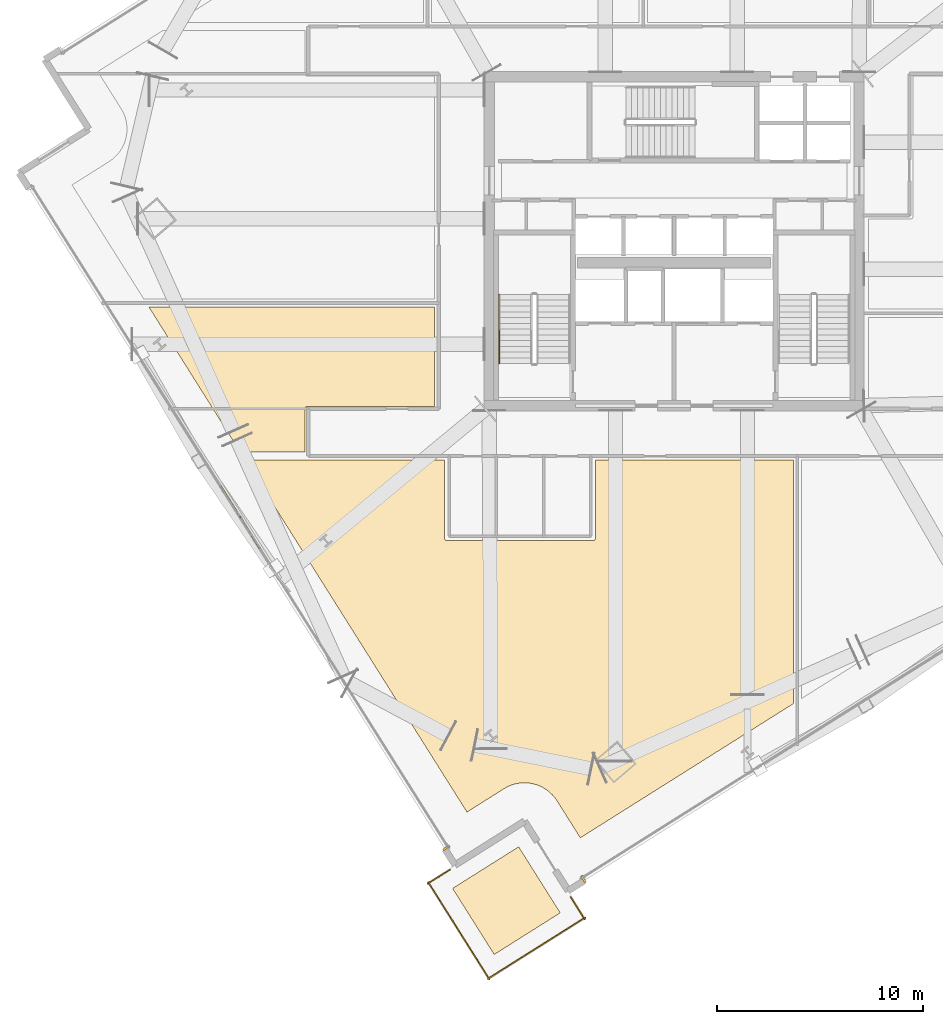
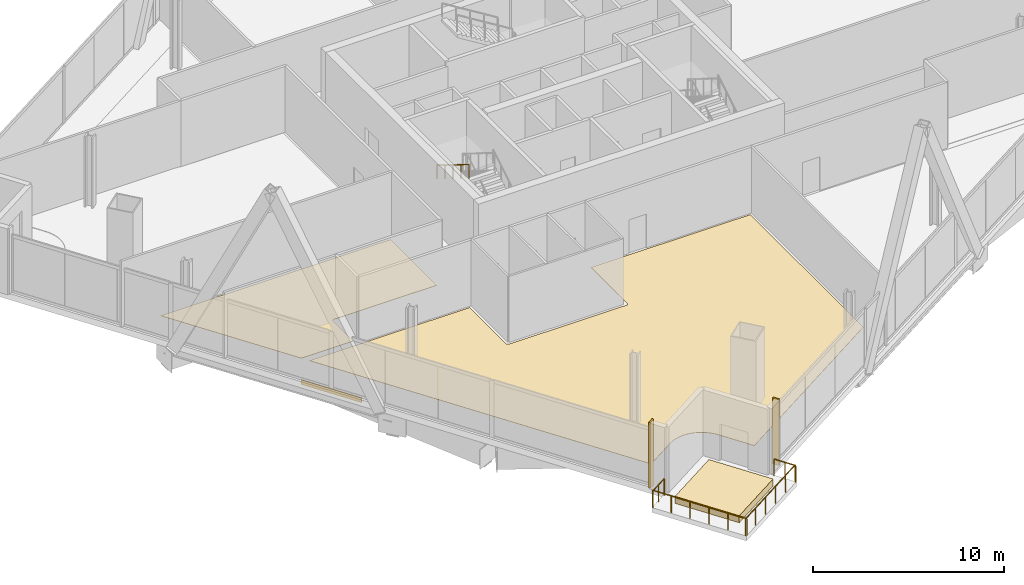
# One storey, part 25 of 29: 6 coverings, 5 railings.
"""IFC4 building model written with IfcOpenShell, lengths in metres."""

from ifc_helpers import new_model, si_unit, direction, frame, origin, origin_2d, place, context, subcontext, project, spatial, polyline, rectangle, outline, extrude, source, transform, mapped, material, layer, layer_set, type_object, element, save


model = new_model("IFC4")

# Units and contexts
model_context = context("Model", 3, precision=1e-05, world=origin(), true_north=direction((0.0, 1.0)))
body_context = subcontext(model_context, "Body", "Model", "MODEL_VIEW")
ifc_project = project(units=[si_unit("LENGTHUNIT", "METRE"), si_unit("AREAUNIT", "SQUARE_METRE"), si_unit("VOLUMEUNIT", "CUBIC_METRE"), si_unit("PLANEANGLEUNIT", "RADIAN"), si_unit("MASSUNIT", "GRAM", prefix="KILO")], contexts=[model_context])

# Site, building, storey
site_placement = place(None, origin())
site = spatial("IfcSite", under=ifc_project, at=site_placement, CompositionType="ELEMENT")
building_placement = place(site_placement, origin())
building = spatial("IfcBuilding", under=site, at=building_placement, Name="Haldenkirk Collegiate Tower", CompositionType="ELEMENT")
storey_placement = place(building_placement, frame((0.0, 0.0, 136.199951171875)))
storey = spatial("IfcBuildingStorey", under=building, at=storey_placement, Name="L33", CompositionType="ELEMENT", Elevation=136.199951171875)

# Coverings
ifc_material_1 = material(Name="Engineered collegiate oak acoustic flooring", Category="wood")
ifc_layer_1 = layer(ifc_material_1, 0.02197265625)
ifc_layer_set_1 = layer_set([ifc_layer_1], Name="Engineered collegiate oak acoustic flooring")
covering_type_1 = type_object("IfcCoveringType", Name="COV-FLOOR-TIMBER", PredefinedType="FLOORING", material=ifc_layer_set_1)
covering_1_placement = place(storey_placement, origin())
element("IfcCovering", 1, at=covering_1_placement, inside=storey, type_object=covering_type_1, Name="L33 academic room finish 01", PredefinedType="FLOORING", context=body_context, shape_type="SweptSolid", body=[
    extrude(outline(polyline([(29.8037109375, -0.6982421875), (29.7939453125, -0.69140625), (29.649169921875, -0.59912109375), (29.638916015625, -0.59326171875), (29.485595703125, -0.515625), (29.474853515625, -0.5107421875), (29.314697265625, -0.448486328125), (29.3037109375, -0.44482421875), (29.13818359375, -0.398681640625), (29.126708984375, -0.39599609375), (28.95751953125, -0.3662109375), (28.946044921875, -0.36474609375), (28.774658203125, -0.351806640625), (28.7626953125, -0.351318359375), (28.591064453125, -0.355224609375), (28.579345703125, -0.356201171875), (28.408935546875, -0.376708984375), (28.397216796875, -0.378662109375), (28.229736328125, -0.416015625), (28.21826171875, -0.4189453125), (28.05517578125, -0.472412109375), (28.044189453125, -0.476806640625), (27.886962890625, -0.5458984375), (27.87646484375, -0.55126953125), (27.726806640625, -0.635498046875), (27.7216796875, -0.638427734375), (25.91943359375, -1.7734375), (15.13623046875, 15.35009765625), (24.830078125, 15.35009765625), (24.830078125, 11.550048828125), (24.83056640625, 11.5380859375), (24.832275390625, 11.526611328125), (24.835205078125, 11.51513671875), (24.839111328125, 11.504150390625), (24.84423828125, 11.493408203125), (24.85009765625, 11.4833984375), (24.857177734375, 11.473876953125), (24.864990234375, 11.465087890625), (24.873779296875, 11.457275390625), (24.88330078125, 11.4501953125), (24.893310546875, 11.444091796875), (24.904052734375, 11.439208984375), (24.915283203125, 11.435302734375), (24.926513671875, 11.432373046875), (24.938232421875, 11.4306640625), (24.949951171875, 11.429931640625), (32.050048828125, 11.429931640625), (32.061767578125, 11.4306640625), (32.073486328125, 11.432373046875), (32.084716796875, 11.435302734375), (32.095947265625, 11.439208984375), (32.106689453125, 11.444091796875), (32.11669921875, 11.4501953125), (32.126220703125, 11.457275390625), (32.135009765625, 11.465087890625), (32.142822265625, 11.473876953125), (32.14990234375, 11.4833984375), (32.15576171875, 11.493408203125), (32.160888671875, 11.504150390625), (32.164794921875, 11.51513671875), (32.167724609375, 11.526611328125), (32.16943359375, 11.5380859375), (32.169921875, 11.550048828125), (32.169921875, 15.35009765625), (41.800048828125, 15.35009765625), (41.800048828125, 3.5), (31.435546875, -3.026611328125), (30.300537109375, -1.224365234375), (30.29736328125, -1.219482421875), (30.19873046875, -1.078857421875), (30.191650390625, -1.069580078125), (30.079833984375, -0.939208984375), (30.071533203125, -0.9306640625), (29.947509765625, -0.81201171875), (29.938720703125, -0.80419921875), (29.8037109375, -0.6982421875)])), origin(), (0.0, 0.0, 1.0), 0.02197265625),
])
covering_2_placement = place(storey_placement, origin())
element("IfcCovering", 2, at=covering_2_placement, inside=storey, type_object=covering_type_1, Name="L33 academic room finish 07", PredefinedType="FLOORING", context=body_context, shape_type="SweptSolid", body=[
    extrude(outline(polyline([(18.14990234375, 17.969970703125), (18.13818359375, 17.969482421875), (18.126708984375, 17.9677734375), (18.115234375, 17.96484375), (18.10400390625, 17.9609375), (18.093505859375, 17.955810546875), (18.083251953125, 17.94970703125), (18.073974609375, 17.94287109375), (18.065185546875, 17.934814453125), (18.05712890625, 17.926025390625), (18.05029296875, 17.916748046875), (18.044189453125, 17.906494140625), (18.0390625, 17.89599609375), (18.03515625, 17.884765625), (18.0322265625, 17.873291015625), (18.030517578125, 17.86181640625), (18.030029296875, 17.85009765625), (18.030029296875, 15.75), (14.88427734375, 15.75), (10.444580078125, 22.800048828125), (24.35009765625, 22.800048828125), (24.35009765625, 17.969970703125), (18.14990234375, 17.969970703125)])), origin(), (0.0, 0.0, 1.0), 0.02197265625),
])
ifc_material_2 = material(Name="Precast concrete f'c 40 MPa", Category="concrete")
ifc_layer_2 = layer(ifc_material_2, 0.449951171875)
ifc_layer_set_2 = layer_set([ifc_layer_2], Name="Precast concrete f'c 40 MPa")
covering_type_2 = type_object("IfcCoveringType", Name="COV-PLANTER-450", PredefinedType="USERDEFINED", material=ifc_layer_set_2)
covering_3_placement = place(storey_placement, origin())
element("IfcCovering", 3, at=covering_3_placement, inside=storey, type_object=covering_type_2, Name="L33 planted garden planter bed", ObjectType="PLANTER", PredefinedType="USERDEFINED", context=body_context, shape_type="SweptSolid", body=[
    extrude(outline(polyline([(27.24560546875, -8.702392578125), (25.220703125, -5.48681640625), (28.436279296875, -3.4619140625), (30.461181640625, -6.677490234375), (27.24560546875, -8.702392578125)])), origin(), (0.0, 0.0, 1.0), 0.449951171875),
])

# Railings
ifc_material_3 = material(Name="Painted architectural tubular steel", Category="steel")
railing_type_1 = type_object("IfcRailingType", Name="RLG-STAIR-HANDRAIL-900", PredefinedType="HANDRAIL", material=ifc_material_3)
railing_1_placement = place(storey_placement, frame((27.5, 23.409912109375, 2.423095703125)))
element("IfcRailing", 4, at=railing_1_placement, inside=storey, type_object=railing_type_1, Name="L33 ST-1 stair handrail 2", PredefinedType="HANDRAIL", context=body_context, shape_type="SweptSolid", body=[
    extrude(rectangle(XDim=0.048095703125, YDim=0.048095703125, at=origin_2d()), frame((0.0, 0.0, 0.8759765625), z_axis=(0.0, -0.850606129759, 0.525803396734), x_axis=(1.0, 0.0, 0.0)), (0.0, 0.0, 1.0), 3.949951171875),
    extrude(rectangle(XDim=0.0419921875, YDim=0.0419921875, at=origin_2d()), origin(), (0.0, 0.0, 1.0), 0.851806640625),
    extrude(rectangle(XDim=0.0419921875, YDim=0.0419921875, at=origin_2d()), frame((0.0, -0.83984375, 0.519287109375)), (0.0, 0.0, 1.0), 0.851806640625),
    extrude(rectangle(XDim=0.0419921875, YDim=0.0419921875, at=origin_2d()), frame((0.0, -1.679931640625, 1.03857421875)), (0.0, 0.0, 1.0), 0.851806640625),
    extrude(rectangle(XDim=0.0419921875, YDim=0.0419921875, at=origin_2d()), frame((0.0, -2.52001953125, 1.5576171875)), (0.0, 0.0, 1.0), 0.851806640625),
    extrude(rectangle(XDim=0.0419921875, YDim=0.0419921875, at=origin_2d()), frame((0.0, -3.35986328125, 2.076904296875)), (0.0, 0.0, 1.0), 0.851806640625),
])
ifc_material_4 = material(Name="Anodised architectural bronze aluminium", Category="aluminium")
railing_type_2 = type_object("IfcRailingType", Name="RLG-TERR-BALUSTRADE-1100", PredefinedType="BALUSTRADE", material=ifc_material_4)
railing_2_placement = place(storey_placement, frame((26.931640625, -9.892822265625, 0.0)))
element("IfcRailing", 5, at=railing_2_placement, inside=storey, type_object=railing_type_2, Name="L33 terrace guard balustrade 1-1", PredefinedType="BALUSTRADE", context=body_context, shape_type="SweptSolid", body=[
    extrude(rectangle(XDim=0.048095703125, YDim=0.048095703125, at=origin_2d()), frame((0.0, 0.0, 1.076171875), z_axis=(0.846195708749, 0.532872238436, 0.0), x_axis=(-0.532872238436, 0.846195708749, 0.0)), (0.0, 0.0, 1.0), 5.60009765625),
    extrude(rectangle(XDim=0.0419921875, YDim=0.0419921875, at=origin_2d()), origin(), (0.0, 0.0, 1.0), 1.052001953125),
    extrude(rectangle(XDim=0.0419921875, YDim=0.0419921875, at=origin_2d()), frame((0.94775390625, 0.596923828125, 0.0)), (0.0, 0.0, 1.0), 1.052001953125),
    extrude(rectangle(XDim=0.0419921875, YDim=0.0419921875, at=origin_2d()), frame((1.8955078125, 1.193603515625, 0.0)), (0.0, 0.0, 1.0), 1.052001953125),
    extrude(rectangle(XDim=0.0419921875, YDim=0.0419921875, at=origin_2d()), frame((2.84326171875, 1.79052734375, 0.0)), (0.0, 0.0, 1.0), 1.052001953125),
    extrude(rectangle(XDim=0.0419921875, YDim=0.0419921875, at=origin_2d()), frame((3.791015625, 2.38720703125, 0.0)), (0.0, 0.0, 1.0), 1.052001953125),
    extrude(rectangle(XDim=0.0419921875, YDim=0.0419921875, at=origin_2d()), frame((4.73876953125, 2.984130859375, 0.0)), (0.0, 0.0, 1.0), 1.052001953125),
])
railing_3_placement = place(storey_placement, frame((31.651611328125, -6.991455078125, 0.0)))
element("IfcRailing", 6, at=railing_3_placement, inside=storey, type_object=railing_type_2, Name="L33 terrace guard balustrade 2-1", PredefinedType="BALUSTRADE", context=body_context, shape_type="SweptSolid", body=[
    extrude(rectangle(XDim=0.048095703125, YDim=0.048095703125, at=origin_2d()), frame((0.0, 0.0, 1.076171875), z_axis=(-0.53294479941, 0.846150010803, 0.0), x_axis=(-0.846150010803, -0.53294479941, 0.0)), (0.0, 0.0, 1.0), 1.280029296875),
    extrude(rectangle(XDim=0.0419921875, YDim=0.0419921875, at=origin_2d()), origin(), (0.0, 0.0, 1.0), 1.052001953125),
    extrude(rectangle(XDim=0.0419921875, YDim=0.0419921875, at=origin_2d()), frame((-0.341064453125, 0.54150390625, 0.0)), (0.0, 0.0, 1.0), 1.052001953125),
    extrude(rectangle(XDim=0.0419921875, YDim=0.0419921875, at=origin_2d()), frame((-0.68212890625, 1.0830078125, 0.0)), (0.0, 0.0, 1.0), 1.052001953125),
])
railing_4_placement = place(storey_placement, frame((25.0947265625, -4.573486328125, 0.0)))
element("IfcRailing", 7, at=railing_4_placement, inside=storey, type_object=railing_type_2, Name="L33 terrace guard balustrade 3-1", PredefinedType="BALUSTRADE", context=body_context, shape_type="SweptSolid", body=[
    extrude(rectangle(XDim=0.048095703125, YDim=0.048095703125, at=origin_2d()), frame((0.0, 0.0, 1.076171875), z_axis=(-0.846204175354, -0.532858793315, 0.0), x_axis=(0.532858793315, -0.846204175354, 0.0)), (0.0, 0.0, 1.0), 1.280029296875),
    extrude(rectangle(XDim=0.0419921875, YDim=0.0419921875, at=origin_2d()), origin(), (0.0, 0.0, 1.0), 1.052001953125),
    extrude(rectangle(XDim=0.0419921875, YDim=0.0419921875, at=origin_2d()), frame((-0.54150390625, -0.341064453125, 0.0)), (0.0, 0.0, 1.0), 1.052001953125),
    extrude(rectangle(XDim=0.0419921875, YDim=0.0419921875, at=origin_2d()), frame((-1.083251953125, -0.68212890625, 0.0)), (0.0, 0.0, 1.0), 1.052001953125),
])
railing_5_placement = place(storey_placement, frame((24.0302734375, -5.1728515625, 0.0)))
element("IfcRailing", 8, at=railing_5_placement, inside=storey, type_object=railing_type_2, Name="L33 terrace guard balustrade 4-1", PredefinedType="BALUSTRADE", context=body_context, shape_type="SweptSolid", body=[
    extrude(rectangle(XDim=0.048095703125, YDim=0.048095703125, at=origin_2d()), frame((0.0, 0.0, 1.076171875), z_axis=(0.532872238436, -0.846195708749, 0.0), x_axis=(0.846195708749, 0.532872238436, 0.0)), (0.0, 0.0, 1.0), 5.60009765625),
    extrude(rectangle(XDim=0.0419921875, YDim=0.0419921875, at=origin_2d()), origin(), (0.0, 0.0, 1.0), 1.052001953125),
    extrude(rectangle(XDim=0.0419921875, YDim=0.0419921875, at=origin_2d()), frame((0.596923828125, -0.94775390625, 0.0)), (0.0, 0.0, 1.0), 1.052001953125),
    extrude(rectangle(XDim=0.0419921875, YDim=0.0419921875, at=origin_2d()), frame((1.193603515625, -1.8955078125, 0.0)), (0.0, 0.0, 1.0), 1.052001953125),
    extrude(rectangle(XDim=0.0419921875, YDim=0.0419921875, at=origin_2d()), frame((1.79052734375, -2.84326171875, 0.0)), (0.0, 0.0, 1.0), 1.052001953125),
    extrude(rectangle(XDim=0.0419921875, YDim=0.0419921875, at=origin_2d()), frame((2.38720703125, -3.791015625, 0.0)), (0.0, 0.0, 1.0), 1.052001953125),
    extrude(rectangle(XDim=0.0419921875, YDim=0.0419921875, at=origin_2d()), frame((2.984130859375, -4.73876953125, 0.0)), (0.0, 0.0, 1.0), 1.052001953125),
])

# Coverings
ifc_layer_3 = layer(ifc_material_4, 0.06005859375)
ifc_layer_set_3 = layer_set([ifc_layer_3], Name="Anodised architectural bronze aluminium")
covering_type_3 = type_object("IfcCoveringType", Name="COV-CLAD-BRONZE-60", PredefinedType="CLADDING", material=ifc_layer_set_3)
shared_shape_1 = source(origin(), body_context, "Body", "SweptSolid", [
    extrude(rectangle(XDim=3.60009765625, YDim=0.06005859375, at=origin_2d()), origin(), (0.0, 0.0, 1.0), 0.300048828125),
])
covering_4_placement = place(storey_placement, frame((14.881591796875, 12.582763671875, -0.2998046875), z_axis=(0.0, 0.0, 1.0), x_axis=(-0.532876276071, 0.846193166128, 0.0)))
element("IfcCovering", 9, at=covering_4_placement, inside=storey, type_object=covering_type_3, Name="L33 architectural bronze spandrel cladding W", PredefinedType="CLADDING", context=body_context, shape_type="MappedRepresentation", body=[
    mapped(shared_shape_1, transform((0.0, 0.0, 0.0), x_axis=(1.0, 0.0, 0.0), y_axis=(0.0, 1.0, 0.0), z_axis=(0.0, 0.0, 1.0), scale=1.0)),
])
shared_shape_2 = source(origin(), body_context, "Body", "SweptSolid", [
    extrude(rectangle(XDim=0.10009765625, YDim=0.3798828125, at=origin_2d()), origin(), (0.0, 0.0, 1.0), 4.2099609375),
])
for number, where, z_axis, x_axis, name in (
    (10, (31.588623046875, -5.033935546875, 0.0), (0.0, 0.0, 1.0), (-0.846193166128, -0.532876276071, 0.0), "L33 recessed curtain-wall bronze jamb closure SJR"),
    (11, (24.9140625, -3.517333984375, 0.0), (0.0, 0.0, 1.0), (-0.532876276071, 0.846193166128, 0.0), "L33 recessed curtain-wall bronze jamb closure WJL"),
):
    element("IfcCovering", number, at=place(storey_placement, frame(where, z_axis=z_axis, x_axis=x_axis)), inside=storey, type_object=covering_type_3, Name=name, PredefinedType="CLADDING", context=body_context, shape_type="MappedRepresentation", body=[
        mapped(shared_shape_2, transform((0.0, 0.0, 0.0), x_axis=(1.0, 0.0, 0.0), y_axis=(0.0, 1.0, 0.0), z_axis=(0.0, 0.0, 1.0), scale=1.0)),
    ])

save(model, "model.ifc")
